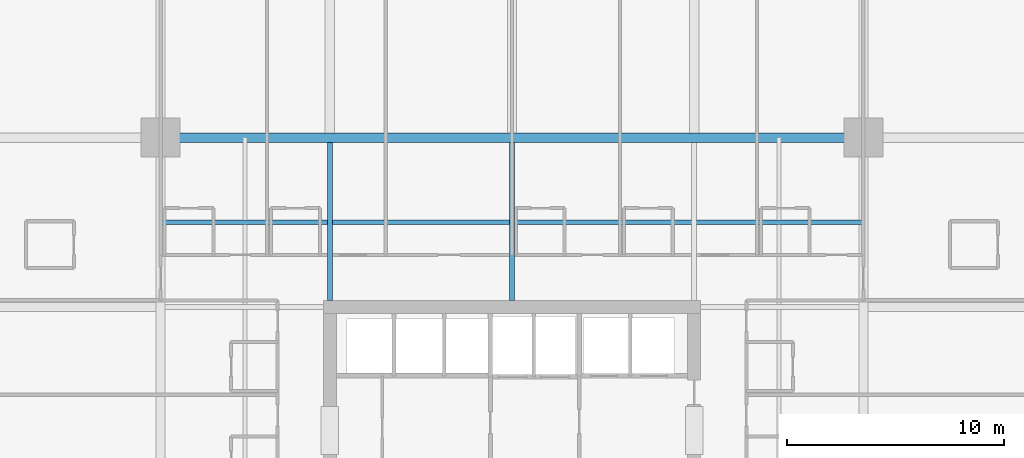
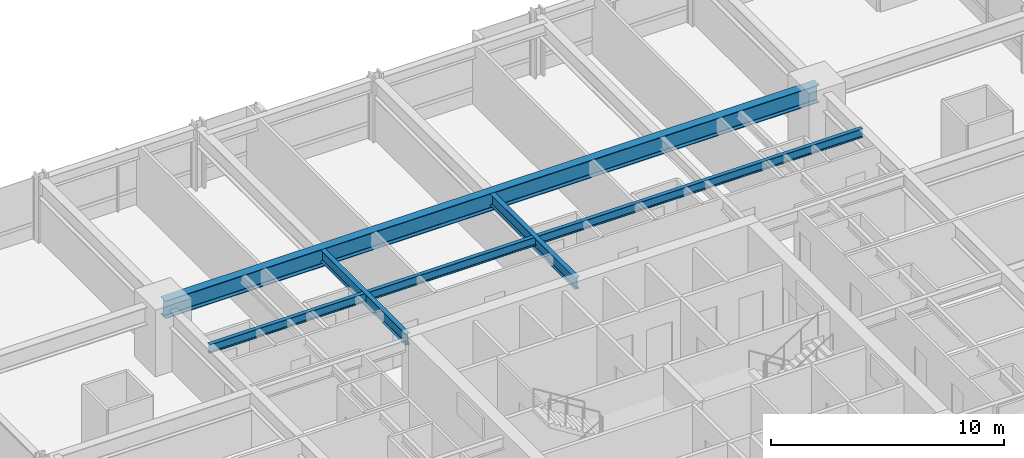
# One storey, part 20 of 39: 4 beams.
"""IFC4 building model written with IfcOpenShell, lengths in metres."""

from ifc_helpers import new_model, si_unit, direction, frame, origin, origin_2d, place, context, subcontext, project, spatial, i_section, extrude, material, material_profile, profile_set, type_object, element, save


model = new_model("IFC4")

# Units and contexts
model_context = context("Model", 3, precision=1e-05, world=origin(), true_north=direction((0.0, 1.0)))
body_context = subcontext(model_context, "Body", "Model", "MODEL_VIEW")
ifc_project = project(units=[si_unit("LENGTHUNIT", "METRE"), si_unit("AREAUNIT", "SQUARE_METRE"), si_unit("VOLUMEUNIT", "CUBIC_METRE"), si_unit("PLANEANGLEUNIT", "RADIAN"), si_unit("MASSUNIT", "GRAM", prefix="KILO")], contexts=[model_context])

# Site, building, storey
site_placement = place(None, origin())
site = spatial("IfcSite", under=ifc_project, at=site_placement, CompositionType="ELEMENT")
building_placement = place(site_placement, origin())
building = spatial("IfcBuilding", under=site, at=building_placement, Name="Drelvath Grand Hotel", CompositionType="ELEMENT")
storey_placement = place(building_placement, frame((0.0, 0.0, 40.199951171875)))
storey = spatial("IfcBuildingStorey", under=building, at=storey_placement, Name="L08", CompositionType="ELEMENT", Elevation=40.199951171875)

# Beams
ifc_material = material(Name="Steel ASTM A992 Gr 50", Category="steel")
ifc_material_profile_1 = material_profile(ifc_material, i_section(OverallWidth=0.19140625, OverallDepth=0.4599609375, WebThickness=0.010009765625, FlangeThickness=0.01611328125, FilletRadius=0.01611328125, at=origin_2d()), Name="W18X55")
ifc_profile_set_1 = profile_set([ifc_material_profile_1], Name="Steel ASTM A992 Gr 50")
beam_type_1 = type_object("IfcBeamType", Name="Composite Floor Joist W18X55", PredefinedType="JOIST", material=ifc_profile_set_1)
beam_1_placement = place(storey_placement, frame((-16.199951171875, 39.300048828125, 3.010009765625), z_axis=(1.0, 0.0, 0.0), x_axis=(0.0, 1.0, 0.0)))
element("IfcBeam", 1, at=beam_1_placement, inside=storey, type_object=beam_type_1, Name="L08 Floor Joist J2", PredefinedType="JOIST", context=body_context, shape_type="SweptSolid", body=[
    extrude(i_section(OverallWidth=0.19140625, OverallDepth=0.4599609375, WebThickness=0.010009765625, FlangeThickness=0.01611328125, FilletRadius=0.01611328125, at=origin_2d()), origin(), (0.0, 0.0, 1.0), 32.39990234375),
])
ifc_material_profile_2 = material_profile(ifc_material, i_section(OverallWidth=0.228271484375, OverallDepth=0.607666015625, WebThickness=0.01123046875, FlangeThickness=0.017333984375, FilletRadius=0.02001953125, at=origin_2d()), Name="W24X76")
ifc_profile_set_2 = profile_set([ifc_material_profile_2], Name="Steel ASTM A992 Gr 50")
beam_type_2 = type_object("IfcBeamType", Name="Primary Floor Girder W24X76", PredefinedType="BEAM", material=ifc_profile_set_2)
for number, where, z_axis, x_axis, name in (
    (2, (-8.39990234375, 35.699951171875, 2.936279296875), (0.0, 1.0, 0.0), (-1.0, 0.0, 0.0), "L08 North Core Tie 4"),
    (3, (0.0, 35.699951171875, 2.936279296875), (0.0, 1.0, 0.0), (-1.0, 0.0, 0.0), "L08 North Core Tie 5"),
):
    element("IfcBeam", number, at=place(storey_placement, frame(where, z_axis=z_axis, x_axis=x_axis)), inside=storey, type_object=beam_type_2, Name=name, PredefinedType="BEAM", context=body_context, shape_type="SweptSolid", body=[
        extrude(i_section(OverallWidth=0.228271484375, OverallDepth=0.607666015625, WebThickness=0.01123046875, FlangeThickness=0.017333984375, FilletRadius=0.02001953125, at=origin_2d()), origin(), (0.0, 0.0, 1.0), 7.290771484375),
    ])
ifc_material_profile_3 = material_profile(ifc_material, i_section(OverallWidth=0.418212890625, OverallDepth=0.926513671875, WebThickness=0.019287109375, FlangeThickness=0.031982421875, FilletRadius=0.028076171875, at=origin_2d()), Name="W36X231")
ifc_profile_set_3 = profile_set([ifc_material_profile_3], Name="Steel ASTM A992 Gr 50")
beam_type_3 = type_object("IfcBeamType", Name="Primary Floor Girder W36X231", PredefinedType="BEAM", material=ifc_profile_set_3)
beam_2_placement = place(storey_placement, frame((-16.199951171875, 43.199951171875, 2.77685546875), z_axis=(1.0, 0.0, 0.0), x_axis=(0.0, 1.0, 0.0)))
element("IfcBeam", 4, at=beam_2_placement, inside=storey, type_object=beam_type_3, Name="L08 Mega Ring Girder North", PredefinedType="BEAM", context=body_context, shape_type="SweptSolid", body=[
    extrude(i_section(OverallWidth=0.418212890625, OverallDepth=0.926513671875, WebThickness=0.019287109375, FlangeThickness=0.031982421875, FilletRadius=0.028076171875, at=origin_2d()), origin(), (0.0, 0.0, 1.0), 32.39990234375),
])

save(model, "model.ifc")
